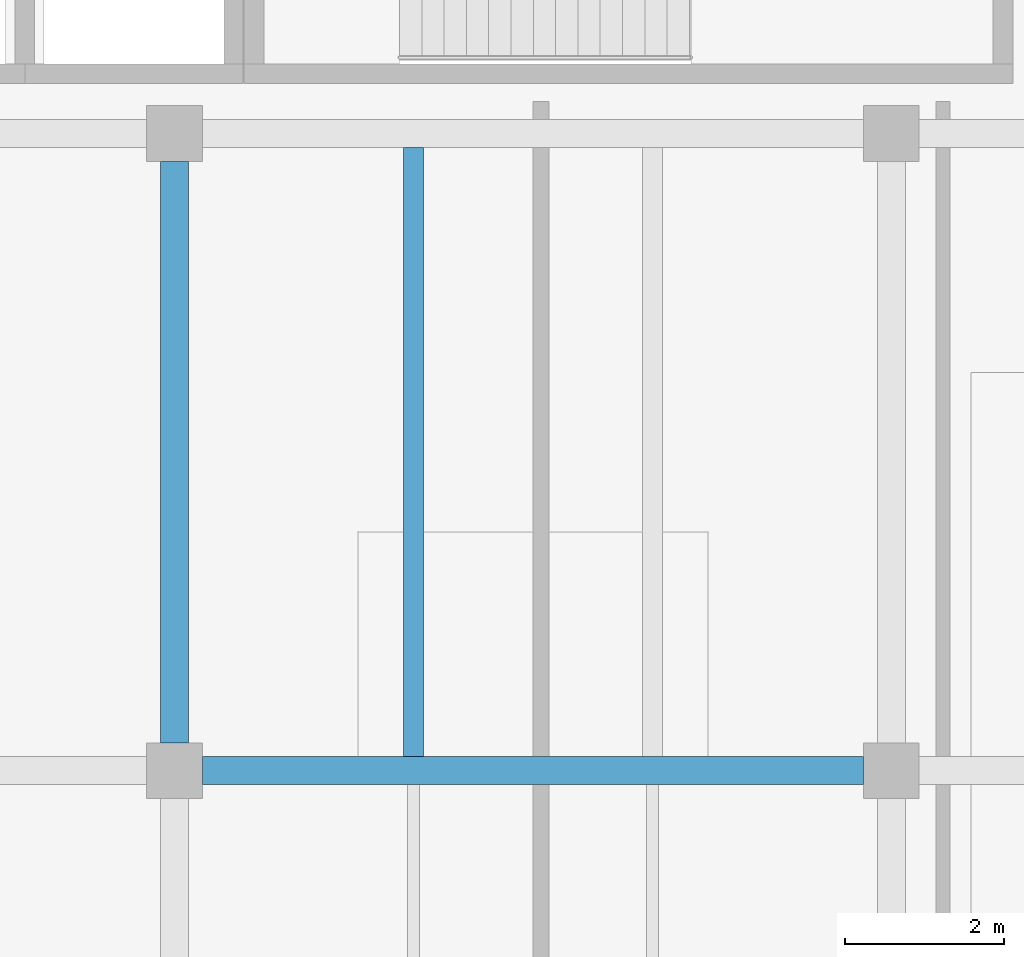
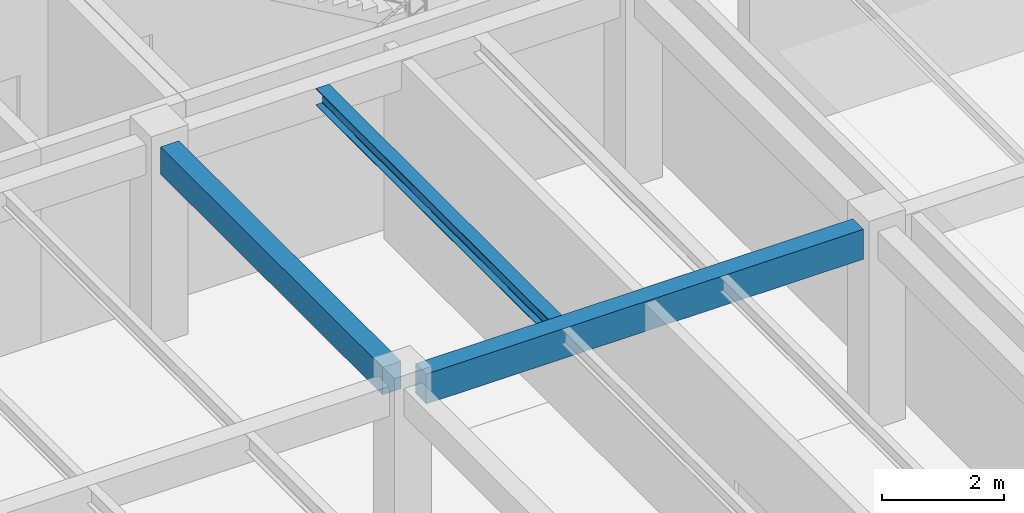
# One storey, part 30 of 71: 3 beams.
"""IFC4 building model written with IfcOpenShell, lengths in metres."""

from ifc_helpers import new_model, si_unit, derived_unit, direction, frame, origin, origin_2d, place, context, subcontext, project, spatial, rectangle, i_section, extrude, material, material_profile, profile_set, type_object, element, save


model = new_model("IFC4")

# Units and contexts
model_context = context("Model", 3, precision=1e-05, world=origin(), true_north=direction((0.0, 1.0)))
body_context = subcontext(model_context, "Body", "Model", "MODEL_VIEW")
ifc_project = project(units=[si_unit("LENGTHUNIT", "METRE"), si_unit("AREAUNIT", "SQUARE_METRE"), si_unit("VOLUMEUNIT", "CUBIC_METRE"), si_unit("PLANEANGLEUNIT", "RADIAN"), si_unit("MASSUNIT", "GRAM", prefix="KILO"), derived_unit("THERMALTRANSMITTANCEUNIT", [(si_unit("MASSUNIT", "GRAM", prefix="KILO"), 1), (si_unit("TIMEUNIT", "SECOND"), -3), (si_unit("THERMODYNAMICTEMPERATUREUNIT", "KELVIN"), -1)])], contexts=[model_context])

# Site, building, storey
site_placement = place(None, origin())
site = spatial("IfcSite", under=ifc_project, at=site_placement, CompositionType="ELEMENT")
building_placement = place(site_placement, origin())
building = spatial("IfcBuilding", under=site, at=building_placement, Name="Zhenchuan Archway Interchange", CompositionType="ELEMENT")
storey_placement = place(building_placement, frame((0.0, 0.0, 18.60009765625)))
storey = spatial("IfcBuildingStorey", under=building, at=storey_placement, Name="L04", CompositionType="ELEMENT", Elevation=18.60009765625)

# Beams
ifc_material_1 = material(Name="Concrete C40", Category="concrete")
ifc_material_profile_1 = material_profile(ifc_material_1, rectangle(XDim=0.35009765625, YDim=0.550048828125, at=origin_2d()), Name="RC 350x550")
ifc_profile_set_1 = profile_set([ifc_material_profile_1], Name="Concrete C40")
beam_type_1 = type_object("IfcBeamType", Name="BM_RC_350x550", PredefinedType="BEAM", material=ifc_profile_set_1)
beam_1_placement = place(storey_placement, frame((153.0, 40.35009765625, 3.664794921875), z_axis=(0.0, 1.0, 0.0), x_axis=(-1.0, 0.0, 0.0)))
element("IfcBeam", 1, at=beam_1_placement, inside=storey, type_object=beam_type_1, Name="Beam 18:F-G (L04)", PredefinedType="BEAM", context=body_context, shape_type="SweptSolid", body=[
    extrude(rectangle(XDim=0.35009765625, YDim=0.550048828125, at=origin_2d()), origin(), (0.0, 0.0, 1.0), 7.2998046875),
])
ifc_material_profile_2 = material_profile(ifc_material_1, rectangle(XDim=0.35009765625, YDim=0.60009765625, at=origin_2d()), Name="RC 350x600")
ifc_profile_set_2 = profile_set([ifc_material_profile_2], Name="Concrete C40")
beam_type_2 = type_object("IfcBeamType", Name="BM_RC_350x600", PredefinedType="BEAM", material=ifc_profile_set_2)
beam_2_placement = place(storey_placement, frame((153.35009765625, 40.0, 3.639892578125), z_axis=(1.0, 0.0, 0.0), x_axis=(0.0, 1.0, 0.0)))
element("IfcBeam", 2, at=beam_2_placement, inside=storey, type_object=beam_type_2, Name="Beam F:18-19 (L04)", PredefinedType="BEAM", context=body_context, shape_type="SweptSolid", body=[
    extrude(rectangle(XDim=0.35009765625, YDim=0.60009765625, at=origin_2d()), origin(), (0.0, 0.0, 1.0), 8.2998046875),
])
ifc_material_2 = material(Name="Steel Q355", Category="steel")
ifc_material_profile_3 = material_profile(ifc_material_2, i_section(OverallWidth=0.25, OverallDepth=0.340087890625, WebThickness=0.009033203125, FlangeThickness=0.013916015625, FilletRadius=0.01806640625, at=origin_2d()), Name="HM 340x250")
ifc_profile_set_3 = profile_set([ifc_material_profile_3], Name="Steel Q355")
beam_type_3 = type_object("IfcBeamType", Name="JST_STL_HM340", PredefinedType="JOIST", material=ifc_profile_set_3)
beam_3_placement = place(storey_placement, frame((156.0, 40.175048828125, 3.77001953125), z_axis=(0.0, 1.0, 0.0), x_axis=(-1.0, 0.0, 0.0)))
element("IfcBeam", 3, at=beam_3_placement, inside=storey, type_object=beam_type_3, Name="Secondary joist 18-19/F-G #1 (L04)", PredefinedType="JOIST", context=body_context, shape_type="SweptSolid", body=[
    extrude(i_section(OverallWidth=0.25, OverallDepth=0.340087890625, WebThickness=0.009033203125, FlangeThickness=0.013916015625, FilletRadius=0.01806640625, at=origin_2d()), origin(), (0.0, 0.0, 1.0), 7.64990234375),
])

save(model, "model.ifc")
